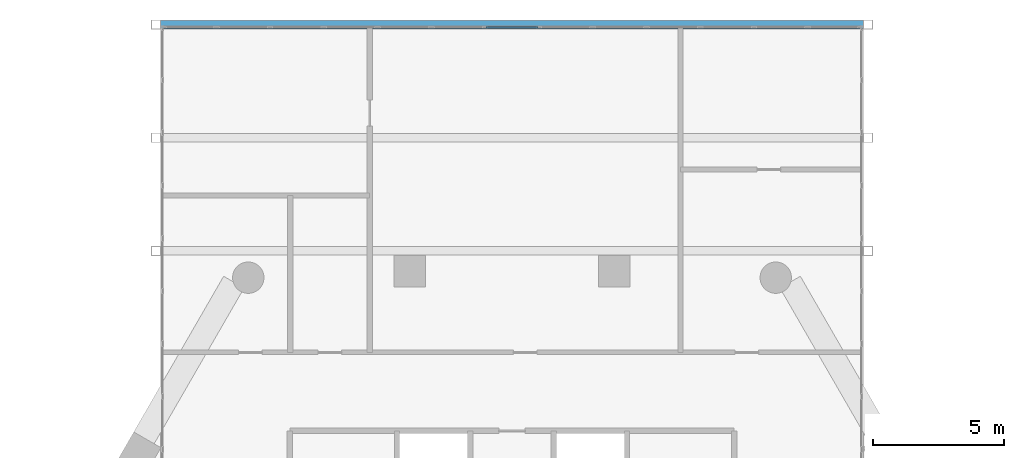
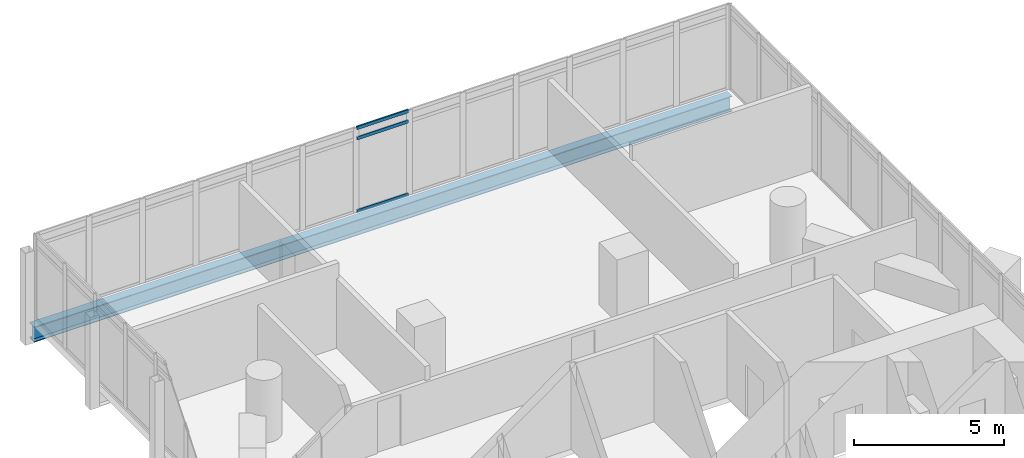
# One storey, part 16 of 28: 3 members, 1 beam, 1 element without a shape of its own.
"""IFC4 building model written with IfcOpenShell, lengths in metres."""

import ifcopenshell
import ifcopenshell.guid

model = None  # the IFC model being written
_history = None  # IfcOwnerHistory: only IFC2X3 demands one
_inside = {}  # id of a spatial element -> (the spatial element, [elements in it])
_under = {}  # id of a project, library or spatial element -> (it, [spatial elements below it])
_declared = {}  # id of a project -> (the project, [libraries it declares])
_typed = {}  # id of a type object -> (the type object, [elements of that type])
_made_of = {}  # id of a material, layer set ... -> (it, [elements and type objects made of it])


def new_model(schema):
    """Start an empty IFC model of exactly this schema.

    Asked for "IFC4X3", IfcOpenShell would pick the latest addendum, in which some entities
    have other attributes; the version numbers below select the first issue.
    IFC2X3 requires an IfcOwnerHistory on every rooted entity: one is made here for all.
    """
    global model, _history
    if schema == "IFC4X3":
        model = ifcopenshell.file(schema_version=(4, 3, 0, 0))
    else:
        model = ifcopenshell.file(schema=schema)
    _inside.clear()
    _under.clear()
    _declared.clear()
    _typed.clear()
    _made_of.clear()
    _history = None
    if model.schema == "IFC2X3":
        org = make("IfcOrganization", Name="unknown")
        user = make(
            "IfcPersonAndOrganization",
            ThePerson=make("IfcPerson", FamilyName="unknown"),
            TheOrganization=org,
        )
        app = make(
            "IfcApplication",
            ApplicationDeveloper=org,
            Version="unknown",
            ApplicationFullName="unknown",
            ApplicationIdentifier="unknown",
        )
        _history = make(
            "IfcOwnerHistory",
            OwningUser=user,
            OwningApplication=app,
            ChangeAction="ADDED",
            CreationDate=0,
        )
    return model


def make(cls, **values):
    """One entity of the class cls with the attributes given. An attribute that is None is left unset."""
    return model.create_entity(
        cls, **{name: value for name, value in values.items() if value is not None}
    )


def rooted(cls, **values):
    """An entity with a GlobalId (a new one), such as an element, a storey or a relation."""
    return make(cls, GlobalId=ifcopenshell.guid.new(), OwnerHistory=_history, **values)


def si_unit(unit_type, name, prefix=None):
    """IfcSIUnit, for example si_unit("LENGTHUNIT", "METRE", prefix="MILLI")."""
    return make("IfcSIUnit", UnitType=unit_type, Prefix=prefix, Name=name)


def assignment(units):
    """IfcUnitAssignment: the units of a project."""
    return None if units is None else make("IfcUnitAssignment", Units=units)


def point(xyz):
    """IfcCartesianPoint."""
    return None if xyz is None else make("IfcCartesianPoint", Coordinates=xyz)


def direction(xyz):
    """IfcDirection."""
    return None if xyz is None else make("IfcDirection", DirectionRatios=xyz)


def frame(location, z_axis=None, x_axis=None):
    """IfcAxis2Placement3D, a coordinate frame: its origin and axes. An axis left out is left unset."""
    return make(
        "IfcAxis2Placement3D",
        Location=point(location),
        Axis=direction(z_axis),
        RefDirection=direction(x_axis),
    )


def frame_2d(location, x_axis=None):
    """IfcAxis2Placement2D, a coordinate frame in the plane: its origin and x axis."""
    return make(
        "IfcAxis2Placement2D", Location=point(location), RefDirection=direction(x_axis)
    )


def origin():
    """The frame at (0, 0, 0) with its axes left unset."""
    return frame((0.0, 0.0, 0.0))


def origin_2d():
    """The frame at (0, 0) in the plane with its x axis left unset."""
    return frame_2d((0.0, 0.0))


def place(relative_to, where):
    """IfcLocalPlacement: puts the frame where relative to a parent placement (None: the world)."""
    return make(
        "IfcLocalPlacement", PlacementRelTo=relative_to, RelativePlacement=where
    )


def context(
    kind, dimensions, precision=None, world=None, true_north=None, identifier=None
):
    """IfcGeometricRepresentationContext, for example the 3D "Model" context."""
    return make(
        "IfcGeometricRepresentationContext",
        ContextIdentifier=identifier,
        ContextType=kind,
        CoordinateSpaceDimension=dimensions,
        Precision=precision,
        WorldCoordinateSystem=world,
        TrueNorth=true_north,
    )


def subcontext(parent, identifier, kind, view, scale=None):
    """IfcGeometricRepresentationSubContext, for example "Body" below "Model"."""
    return make(
        "IfcGeometricRepresentationSubContext",
        ContextIdentifier=identifier,
        ContextType=kind,
        ParentContext=parent,
        TargetScale=scale,
        TargetView=view,
    )


def project(units=None, contexts=None):
    """IfcProject with its units and contexts."""
    return rooted(
        "IfcProject",
        Name="project",
        RepresentationContexts=contexts,
        UnitsInContext=assignment(units),
    )


def spatial(cls, under=None, at=None, **own):
    """A site, building, storey or space (cls), placed at a placement, below another one or the project."""
    s = rooted(cls, ObjectPlacement=at, **own)
    if under is not None:
        _under.setdefault(under.id(), (under, []))[1].append(s)
    return s


def profile(cls, at=None, kind="AREA", **sizes):
    """A parametric profile (cls). Its sizes go by their IFC names, for example OverallWidth=200.0."""
    return make(cls, ProfileType=kind, Position=at, **sizes)


def hollow_rectangle(**sizes):
    """IfcRectangleHollowProfileDef."""
    return profile("IfcRectangleHollowProfileDef", **sizes)


def i_section(**sizes):
    """IfcIShapeProfileDef."""
    return profile("IfcIShapeProfileDef", **sizes)


def extrude(swept, where, along, depth):
    """IfcExtrudedAreaSolid: the profile swept, set in the frame where, extruded along a direction by depth."""
    return make(
        "IfcExtrudedAreaSolid",
        SweptArea=swept,
        Position=where,
        ExtrudedDirection=direction(along),
        Depth=depth,
    )


def shape(context_of_items, identifier, shape_type, items):
    """IfcShapeRepresentation: the items that make up one representation, for example the "Body"."""
    return make(
        "IfcShapeRepresentation",
        ContextOfItems=context_of_items,
        RepresentationIdentifier=identifier,
        RepresentationType=shape_type,
        Items=items,
    )


def material(Name=None, Category=None):
    """IfcMaterial."""
    return make("IfcMaterial", Name=Name, Category=Category)


def material_profile(
    of_material, cross_section, Name=None, Category=None, Priority=None
):
    """IfcMaterialProfile: a cross section and its material."""
    return make(
        "IfcMaterialProfile",
        Name=Name,
        Material=of_material,
        Profile=cross_section,
        Priority=Priority,
        Category=Category,
    )


def profile_set(profiles, Name=None, composite=None):
    """IfcMaterialProfileSet."""
    return make(
        "IfcMaterialProfileSet",
        Name=Name,
        MaterialProfiles=profiles,
        CompositeProfile=composite,
    )


def made_of(thing, what):
    """Note that an element or type object is made of a material, layer set ...; save() writes the relation."""
    if what is not None:
        _made_of.setdefault(what.id(), (what, []))[1].append(thing)
    return thing


def type_object(cls, material=None, **own):
    """A type object (cls), such as IfcWallType, which elements share."""
    return made_of(rooted(cls, **own), material)


def element(
    cls,
    number,
    at=None,
    inside=None,
    cuts=None,
    type_object=None,
    material=None,
    context=None,
    identifier="Body",
    shape_type=None,
    held_by="IfcProductDefinitionShape",
    body=None,
    shapes=None,
    **own,
):
    """One element of the class cls, such as IfcWall. Its Tag is "e" and its number.

    at: its placement. inside: the storey or other place that contains it. cuts: it is an
    opening in that element (IfcRelVoidsElement). A single representation is given by context,
    identifier, shape_type and body (its items); several are given by shapes. held_by: the class
    of the entity that holds the representations. save() writes the other relations.
    """
    e = rooted(cls, Tag="e%d" % number, ObjectPlacement=at, **own)
    if body is not None:
        shapes = [shape(context, identifier, shape_type, body)]
    if shapes is not None:
        e.Representation = make(held_by, Representations=shapes)
    if inside is not None:
        _inside.setdefault(inside.id(), (inside, []))[1].append(e)
    if cuts is not None:
        rooted(
            "IfcRelVoidsElement", RelatingBuildingElement=cuts, RelatedOpeningElement=e
        )
    if type_object is not None:
        _typed.setdefault(type_object.id(), (type_object, []))[1].append(e)
    return made_of(e, material)


def aggregate(whole, parts):
    """IfcRelAggregates: a whole, such as a stair, and the parts it consists of."""
    return rooted("IfcRelAggregates", RelatingObject=whole, RelatedObjects=parts)


def save(model, path):
    """Write the relations noted so far, then the file.

    IfcRelAggregates (storeys below a building ...), IfcRelContainedInSpatialStructure (elements
    in a storey), IfcRelDefinesByType, IfcRelAssociatesMaterial and IfcRelDeclares: one each for
    every whole, place, type object, material and project.
    """
    for whole, parts in _under.values():
        aggregate(whole, parts)
    for where, things in _inside.values():
        rooted(
            "IfcRelContainedInSpatialStructure",
            RelatedElements=things,
            RelatingStructure=where,
        )
    for kind, things in _typed.values():
        rooted("IfcRelDefinesByType", RelatedObjects=things, RelatingType=kind)
    for what, things in _made_of.values():
        rooted("IfcRelAssociatesMaterial", RelatedObjects=things, RelatingMaterial=what)
    for by, libraries in _declared.values():
        rooted("IfcRelDeclares", RelatingContext=by, RelatedDefinitions=libraries)
    model.write(path)


model = new_model("IFC4")

# Units and contexts
model_context = context("Model", 3, precision=1e-05, world=origin(), true_north=direction((0.0, 1.0)))
body_context = subcontext(model_context, "Body", "Model", "MODEL_VIEW")
ifc_project = project(units=[si_unit("LENGTHUNIT", "METRE"), si_unit("AREAUNIT", "SQUARE_METRE"), si_unit("VOLUMEUNIT", "CUBIC_METRE"), si_unit("PLANEANGLEUNIT", "RADIAN"), si_unit("MASSUNIT", "GRAM", prefix="KILO")], contexts=[model_context])

# Site, building, storey
site_placement = place(None, origin())
site = spatial("IfcSite", under=ifc_project, at=site_placement, CompositionType="ELEMENT")
building_placement = place(site_placement, origin())
building = spatial("IfcBuilding", under=site, at=building_placement, Name="Ostrander Bayou Hotel Tower", CompositionType="ELEMENT")
storey_placement = place(building_placement, frame((0.0, 0.0, 134.75)))
storey = spatial("IfcBuildingStorey", under=building, at=storey_placement, Name="L33", CompositionType="ELEMENT", Elevation=134.75)

# Curtain wall, members
ifc_material_1 = material(Name="Aluminium and clear glass", Category="aluminium")
curtain_wall_type = type_object("IfcCurtainWallType", Name="CW-BAR glazed wall", PredefinedType="NOTDEFINED", material=ifc_material_1)
curtain_wall_placement = place(storey_placement, origin())
curtain_wall = element("IfcCurtainWall", 1, at=curtain_wall_placement, inside=storey, type_object=curtain_wall_type, Name="CW-BAR L33:SB3N:T", PredefinedType="NOTDEFINED")
ifc_material_2 = material(Name="Aluminium", Category="aluminium")
ifc_material_profile_1 = material_profile(ifc_material_2, hollow_rectangle(XDim=0.06005859375, YDim=0.1298828125, WallThickness=0.00390625, at=origin_2d()))
ifc_profile_set_1 = profile_set([ifc_material_profile_1], Name="Aluminium")
member_type = type_object("IfcMemberType", Name="CW-BR transom 60 x 130 mm", PredefinedType="USERDEFINED", material=ifc_profile_set_1)
member_1_placement = place(storey_placement, frame((-0.998291015625, 29.037109375, 0.030029296875), z_axis=(1.0, 0.0, 0.0), x_axis=(0.0, 1.0, 0.0)))
member_1 = element("IfcMember", 2, at=member_1_placement, type_object=member_type, Name="CW-BAR transom 7.1", ObjectType="TRANSOM", PredefinedType="USERDEFINED", context=body_context, shape_type="SweptSolid", body=[
    extrude(hollow_rectangle(XDim=0.06005859375, YDim=0.1298828125, WallThickness=0.00390625, at=origin_2d()), origin(), (0.0, 0.0, 1.0), 1.99658203125),
])
member_2_placement = place(storey_placement, frame((-0.998291015625, 29.037109375, 3.0), z_axis=(1.0, 0.0, 0.0), x_axis=(0.0, 1.0, 0.0)))
member_2 = element("IfcMember", 3, at=member_2_placement, type_object=member_type, Name="CW-BAR transom 7.2", ObjectType="TRANSOM", PredefinedType="USERDEFINED", context=body_context, shape_type="SweptSolid", body=[
    extrude(hollow_rectangle(XDim=0.06005859375, YDim=0.1298828125, WallThickness=0.00390625, at=origin_2d()), origin(), (0.0, 0.0, 1.0), 1.99658203125),
])
member_3_placement = place(storey_placement, frame((-0.998291015625, 29.037109375, 3.419921875), z_axis=(1.0, 0.0, 0.0), x_axis=(0.0, 1.0, 0.0)))
member_3 = element("IfcMember", 4, at=member_3_placement, type_object=member_type, Name="CW-BAR transom 7.3", ObjectType="TRANSOM", PredefinedType="USERDEFINED", context=body_context, shape_type="SweptSolid", body=[
    extrude(hollow_rectangle(XDim=0.06005859375, YDim=0.1298828125, WallThickness=0.00390625, at=origin_2d()), origin(), (0.0, 0.0, 1.0), 1.99658203125),
])
aggregate(curtain_wall, [member_1, member_2, member_3])

# Beam
ifc_material_3 = material(Name="Steel ASTM A992", Category="steel")
ifc_material_profile_2 = material_profile(ifc_material_3, i_section(OverallWidth=0.32763671875, OverallDepth=0.621826171875, WebThickness=0.015380859375, FlangeThickness=0.0244140625, at=origin_2d()))
ifc_profile_set_2 = profile_set([ifc_material_profile_2], Name="Steel ASTM A992")
beam_type = type_object("IfcBeamType", Name="TF1 bar floor beam W24x131", PredefinedType="BEAM", material=ifc_profile_set_2)
beam_placement = place(storey_placement, frame((-13.442138671875, 29.13720703125, -0.61083984375), z_axis=(1.0, 0.0, 0.0), x_axis=(0.0, 1.0, 0.0)))
element("IfcBeam", 5, at=beam_placement, inside=storey, type_object=beam_type, Name="TF1 SB3W L2-1", PredefinedType="BEAM", context=body_context, shape_type="SweptSolid", body=[
    extrude(i_section(OverallWidth=0.32763671875, OverallDepth=0.621826171875, WebThickness=0.015380859375, FlangeThickness=0.0244140625, at=origin_2d()), origin(), (0.0, 0.0, 1.0), 26.88427734375),
])

save(model, "model.ifc")
